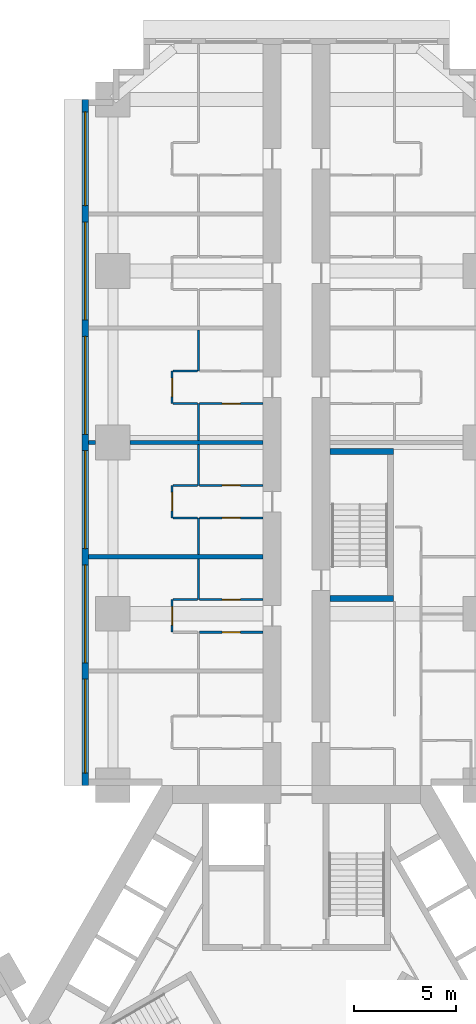
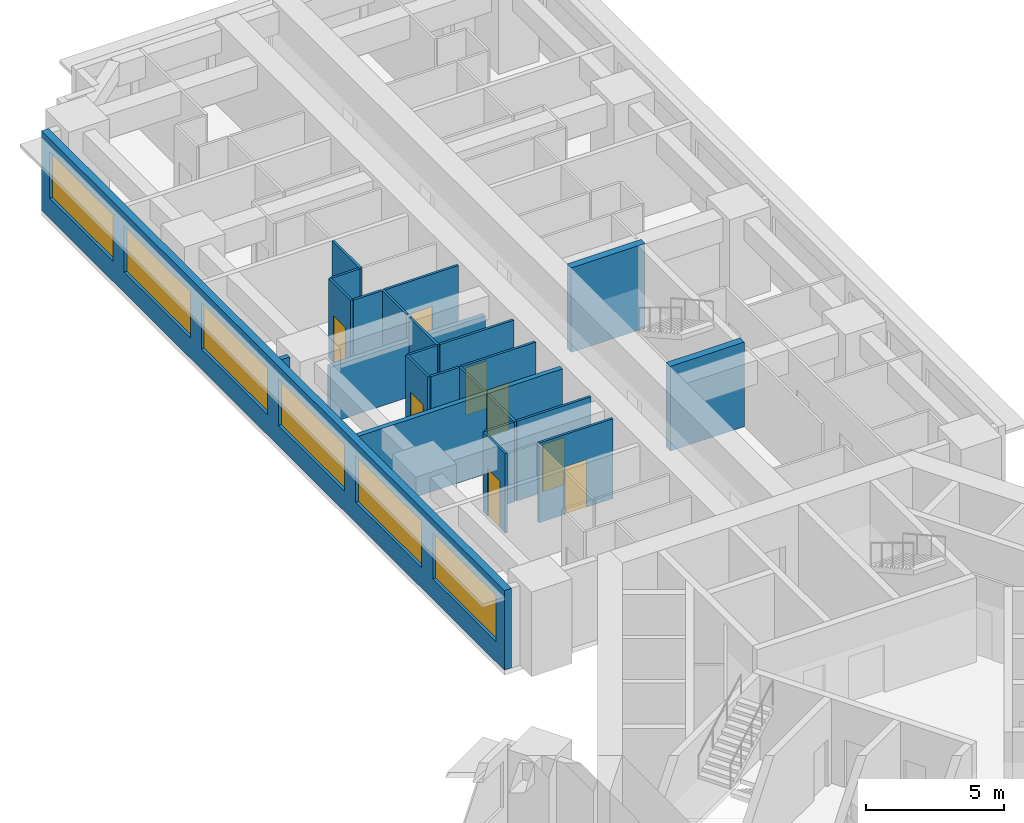
# One storey, part 9 of 17: 24 walls, 8 doors, 6 windows, 14 openings.
"""IFC4 building model written with IfcOpenShell, lengths in metres."""

from ifc_helpers import new_model, si_unit, direction, frame, frame_2d, origin, place, context, subcontext, project, spatial, rectangle, extrude, material, layer, layer_set, type_object, element, fill, save


model = new_model("IFC4")

# Units and contexts
model_context = context("Model", 3, precision=1e-05, world=origin(), true_north=direction((0.0, 1.0)))
body_context = subcontext(model_context, "Body", "Model", "MODEL_VIEW")
ifc_project = project(units=[si_unit("LENGTHUNIT", "METRE"), si_unit("AREAUNIT", "SQUARE_METRE"), si_unit("VOLUMEUNIT", "CUBIC_METRE"), si_unit("PLANEANGLEUNIT", "RADIAN"), si_unit("MASSUNIT", "GRAM", prefix="KILO")], contexts=[model_context])

# Site, building, storey
site_placement = place(None, origin())
site = spatial("IfcSite", under=ifc_project, at=site_placement, CompositionType="ELEMENT")
building_placement = place(site_placement, origin())
building = spatial("IfcBuilding", under=site, at=building_placement, Name="Impinga Residences", CompositionType="ELEMENT")
storey_placement = place(building_placement, frame((0.0, 0.0, 29.75)))
storey = spatial("IfcBuildingStorey", under=building, at=storey_placement, Name="L06", CompositionType="ELEMENT", Elevation=29.75)

# Wall, openings, windows
ifc_material_1 = material(Name="Terracotta rainscreen on blockwork", Category="masonry")
ifc_layer_1 = layer(ifc_material_1, 0.300048828125)
ifc_layer_set_1 = layer_set([ifc_layer_1], Name="EW1 external wall, terracotta rainscreen on blockwork 300")
wall_type_1 = type_object("IfcWallType", Name="EW1 external wall, terracotta rainscreen on blockwork 300", PredefinedType="SOLIDWALL", material=ifc_layer_set_1)
wall_1_placement = place(storey_placement, frame((-10.35009765625, 11.431640625, 0.0), z_axis=(0.0, 0.0, 1.0), x_axis=(0.0, 1.0, 0.0)))
wall_1 = element("IfcWall", 1, at=wall_1_placement, inside=storey, type_object=wall_type_1, Name="External wall EW1 L06", PredefinedType="SOLIDWALL", context=body_context, shape_type="SweptSolid", body=[
    extrude(rectangle(XDim=33.599853515625, YDim=0.300048828125, at=frame_2d((16.7998046875, 0.0))), origin(), (0.0, 0.0, 1.0), 3.530029296875),
])
opening_1_placement = place(wall_1_placement, frame((0.60009765625, 0.0, 0.89990234375)))
opening_1 = element("IfcOpeningElement", 2, at=opening_1_placement, cuts=wall_1, Name="Opening W3", PredefinedType="OPENING", context=body_context, shape_type="SweptSolid", body=[
    extrude(rectangle(XDim=4.60009765625, YDim=2.050048828125, at=frame_2d((2.300048828125, 1.02490234375))), frame((0.0, 0.159912109375, 0.0), z_axis=(0.0, -1.0, 0.0), x_axis=(1.0, 0.0, 0.0)), (0.0, 0.0, 1.0), 0.320068359375),
])
opening_2_placement = place(wall_1_placement, frame((6.0, 0.0, 0.89990234375)))
opening_2 = element("IfcOpeningElement", 3, at=opening_2_placement, cuts=wall_1, Name="Opening W8", PredefinedType="OPENING", context=body_context, shape_type="SweptSolid", body=[
    extrude(rectangle(XDim=4.800048828125, YDim=2.050048828125, at=frame_2d((2.39990234375, 1.02490234375))), frame((0.0, 0.159912109375, 0.0), z_axis=(0.0, -1.0, 0.0), x_axis=(1.0, 0.0, 0.0)), (0.0, 0.0, 1.0), 0.320068359375),
])
opening_3_placement = place(wall_1_placement, frame((11.60009765625, 0.0, 0.89990234375)))
opening_3 = element("IfcOpeningElement", 4, at=opening_3_placement, cuts=wall_1, Name="Opening W8", PredefinedType="OPENING", context=body_context, shape_type="SweptSolid", body=[
    extrude(rectangle(XDim=4.800048828125, YDim=2.050048828125, at=frame_2d((2.39990234375, 1.02490234375))), frame((0.0, 0.159912109375, 0.0), z_axis=(0.0, -1.0, 0.0), x_axis=(1.0, 0.0, 0.0)), (0.0, 0.0, 1.0), 0.320068359375),
])
opening_4_placement = place(wall_1_placement, frame((17.199951171875, 0.0, 0.89990234375)))
opening_4 = element("IfcOpeningElement", 5, at=opening_4_placement, cuts=wall_1, Name="Opening W8", PredefinedType="OPENING", context=body_context, shape_type="SweptSolid", body=[
    extrude(rectangle(XDim=4.800048828125, YDim=2.050048828125, at=frame_2d((2.39990234375, 1.02490234375))), frame((0.0, 0.159912109375, 0.0), z_axis=(0.0, -1.0, 0.0), x_axis=(1.0, 0.0, 0.0)), (0.0, 0.0, 1.0), 0.320068359375),
])
opening_5_placement = place(wall_1_placement, frame((22.800048828125, 0.0, 0.89990234375)))
opening_5 = element("IfcOpeningElement", 6, at=opening_5_placement, cuts=wall_1, Name="Opening W8", PredefinedType="OPENING", context=body_context, shape_type="SweptSolid", body=[
    extrude(rectangle(XDim=4.800048828125, YDim=2.050048828125, at=frame_2d((2.39990234375, 1.02490234375))), frame((0.0, 0.159912109375, 0.0), z_axis=(0.0, -1.0, 0.0), x_axis=(1.0, 0.0, 0.0)), (0.0, 0.0, 1.0), 0.320068359375),
])
opening_6_placement = place(wall_1_placement, frame((28.39990234375, 0.0, 0.89990234375)))
opening_6 = element("IfcOpeningElement", 7, at=opening_6_placement, cuts=wall_1, Name="Opening W3", PredefinedType="OPENING", context=body_context, shape_type="SweptSolid", body=[
    extrude(rectangle(XDim=4.60009765625, YDim=2.050048828125, at=frame_2d((2.300048828125, 1.02490234375))), frame((0.0, 0.159912109375, 0.0), z_axis=(0.0, -1.0, 0.0), x_axis=(1.0, 0.0, 0.0)), (0.0, 0.0, 1.0), 0.320068359375),
])
ifc_material_2 = material(Name="Aluminium window, clear double glazing", Category="aluminium")
window_type_1 = type_object("IfcWindowType", Name="W3 ribbon window 4600x2050", PartitioningType="SINGLE_PANEL", PredefinedType="WINDOW", material=ifc_material_2)
window_1_placement = place(opening_1_placement, origin())
window_1 = element("IfcWindow", 8, at=window_1_placement, inside=storey, type_object=window_type_1, Name="Window L06", OverallHeight=2.050048828125, OverallWidth=4.60009765625, PartitioningType="SINGLE_PANEL", PredefinedType="WINDOW", context=body_context, shape_type="SweptSolid", body=[
    extrude(rectangle(XDim=4.60009765625, YDim=2.050048828125, at=frame_2d((2.300048828125, 1.02490234375))), frame((0.0, 0.030029296875, 0.0), z_axis=(0.0, -1.0, 0.0), x_axis=(1.0, 0.0, 0.0)), (0.0, 0.0, 1.0), 0.06005859375),
])
fill(opening_1, window_1)
window_2_placement = place(opening_6_placement, origin())
window_2 = element("IfcWindow", 9, at=window_2_placement, inside=storey, type_object=window_type_1, Name="Window L06", OverallHeight=2.050048828125, OverallWidth=4.60009765625, PartitioningType="SINGLE_PANEL", PredefinedType="WINDOW", context=body_context, shape_type="SweptSolid", body=[
    extrude(rectangle(XDim=4.60009765625, YDim=2.050048828125, at=frame_2d((2.300048828125, 1.02490234375))), frame((0.0, 0.030029296875, 0.0), z_axis=(0.0, -1.0, 0.0), x_axis=(1.0, 0.0, 0.0)), (0.0, 0.0, 1.0), 0.06005859375),
])
fill(opening_6, window_2)
window_type_2 = type_object("IfcWindowType", Name="W8 ribbon window 4800x2050", PartitioningType="SINGLE_PANEL", PredefinedType="WINDOW", material=ifc_material_2)
window_3_placement = place(opening_2_placement, origin())
window_3 = element("IfcWindow", 10, at=window_3_placement, inside=storey, type_object=window_type_2, Name="Window L06", OverallHeight=2.050048828125, OverallWidth=4.800048828125, PartitioningType="SINGLE_PANEL", PredefinedType="WINDOW", context=body_context, shape_type="SweptSolid", body=[
    extrude(rectangle(XDim=4.800048828125, YDim=2.050048828125, at=frame_2d((2.39990234375, 1.02490234375))), frame((0.0, 0.030029296875, 0.0), z_axis=(0.0, -1.0, 0.0), x_axis=(1.0, 0.0, 0.0)), (0.0, 0.0, 1.0), 0.06005859375),
])
fill(opening_2, window_3)
window_4_placement = place(opening_3_placement, origin())
window_4 = element("IfcWindow", 11, at=window_4_placement, inside=storey, type_object=window_type_2, Name="Window L06", OverallHeight=2.050048828125, OverallWidth=4.800048828125, PartitioningType="SINGLE_PANEL", PredefinedType="WINDOW", context=body_context, shape_type="SweptSolid", body=[
    extrude(rectangle(XDim=4.800048828125, YDim=2.050048828125, at=frame_2d((2.39990234375, 1.02490234375))), frame((0.0, 0.030029296875, 0.0), z_axis=(0.0, -1.0, 0.0), x_axis=(1.0, 0.0, 0.0)), (0.0, 0.0, 1.0), 0.06005859375),
])
fill(opening_3, window_4)
window_5_placement = place(opening_4_placement, origin())
window_5 = element("IfcWindow", 12, at=window_5_placement, inside=storey, type_object=window_type_2, Name="Window L06", OverallHeight=2.050048828125, OverallWidth=4.800048828125, PartitioningType="SINGLE_PANEL", PredefinedType="WINDOW", context=body_context, shape_type="SweptSolid", body=[
    extrude(rectangle(XDim=4.800048828125, YDim=2.050048828125, at=frame_2d((2.39990234375, 1.02490234375))), frame((0.0, 0.030029296875, 0.0), z_axis=(0.0, -1.0, 0.0), x_axis=(1.0, 0.0, 0.0)), (0.0, 0.0, 1.0), 0.06005859375),
])
fill(opening_4, window_5)
window_6_placement = place(opening_5_placement, origin())
window_6 = element("IfcWindow", 13, at=window_6_placement, inside=storey, type_object=window_type_2, Name="Window L06", OverallHeight=2.050048828125, OverallWidth=4.800048828125, PartitioningType="SINGLE_PANEL", PredefinedType="WINDOW", context=body_context, shape_type="SweptSolid", body=[
    extrude(rectangle(XDim=4.800048828125, YDim=2.050048828125, at=frame_2d((2.39990234375, 1.02490234375))), frame((0.0, 0.030029296875, 0.0), z_axis=(0.0, -1.0, 0.0), x_axis=(1.0, 0.0, 0.0)), (0.0, 0.0, 1.0), 0.06005859375),
])
fill(opening_5, window_6)

# Wall
ifc_material_3 = material(Name="Gypsum board on steel studs", Category="steel")
ifc_layer_2 = layer(ifc_material_3, 0.10009765625)
ifc_layer_set_2 = layer_set([ifc_layer_2], Name="Gypsum board on steel studs")
wall_type_2 = type_object("IfcWallType", Name="IP1 partition 100", PredefinedType="PARTITIONING", material=ifc_layer_set_2)
wall_2_placement = place(storey_placement, frame((-4.800048828125, 20.531494140625, 0.0), z_axis=(0.0, 0.0, 1.0), x_axis=(0.0, 1.0, 0.0)))
element("IfcWall", 14, at=wall_2_placement, inside=storey, type_object=wall_type_2, Name="Partition L06-NA2:DIV1", PredefinedType="PARTITIONING", context=body_context, shape_type="SweptSolid", body=[
    extrude(rectangle(XDim=2.0, YDim=0.10009765625, at=frame_2d((1.0, 0.0))), origin(), (0.0, 0.0, 1.0), 3.530029296875),
])

# Wall, opening, door
wall_3_placement = place(storey_placement, frame((-6.10009765625, 18.931640625, 0.0), z_axis=(0.0, 0.0, 1.0), x_axis=(0.0, 1.0, 0.0)))
wall_3 = element("IfcWall", 15, at=wall_3_placement, inside=storey, type_object=wall_type_2, Name="Partition L06-NA2:STRIP", PredefinedType="PARTITIONING", context=body_context, shape_type="SweptSolid", body=[
    extrude(rectangle(XDim=1.599853515625, YDim=0.10009765625, at=frame_2d((0.7998046875, 0.0))), origin(), (0.0, 0.0, 1.0), 3.530029296875),
])
opening_7_placement = place(wall_3_placement, frame((0.35009765625, 0.0, 0.0)))
opening_7 = element("IfcOpeningElement", 16, at=opening_7_placement, cuts=wall_3, Name="Opening D2", PredefinedType="OPENING", context=body_context, shape_type="SweptSolid", body=[
    extrude(rectangle(XDim=0.89990234375, YDim=2.10009765625, at=frame_2d((0.449951171875, 1.050048828125))), frame((0.0, 0.06005859375, 0.0), z_axis=(0.0, -1.0, 0.0), x_axis=(1.0, 0.0, 0.0)), (0.0, 0.0, 1.0), 0.1201171875),
])
ifc_material_4 = material(Name="Timber door set", Category="wood")
door_type = type_object("IfcDoorType", Name="D2 internal door 900x2100", OperationType="SINGLE_SWING_LEFT", PredefinedType="DOOR", material=ifc_material_4)
door_1_placement = place(opening_7_placement, origin())
door_1 = element("IfcDoor", 17, at=door_1_placement, inside=storey, type_object=door_type, Name="Apartment L06-NA2 room door", OperationType="SINGLE_SWING_LEFT", OverallHeight=2.10009765625, OverallWidth=0.89990234375, PredefinedType="DOOR", context=body_context, shape_type="SweptSolid", body=[
    extrude(rectangle(XDim=0.89990234375, YDim=2.10009765625, at=frame_2d((0.449951171875, 1.050048828125))), frame((0.0, 0.02490234375, 0.0), z_axis=(0.0, -1.0, 0.0), x_axis=(1.0, 0.0, 0.0)), (0.0, 0.0, 1.0), 0.050048828125),
])
fill(opening_7, door_1)

# Wall
wall_4_placement = place(storey_placement, frame((-4.85009765625, 20.531494140625, 0.0), z_axis=(0.0, 0.0, 1.0), x_axis=(-1.0, 0.0, 0.0)))
element("IfcWall", 18, at=wall_4_placement, inside=storey, type_object=wall_type_2, Name="Partition L06-NA2:SE1", PredefinedType="PARTITIONING", context=body_context, shape_type="SweptSolid", body=[
    extrude(rectangle(XDim=1.199951171875, YDim=0.10009765625, at=frame_2d((0.60009765625, 0.0))), origin(), (0.0, 0.0, 1.0), 3.530029296875),
])

# Wall, opening, door
wall_5_placement = place(storey_placement, frame((-1.64990234375, 18.931640625, 0.0), z_axis=(0.0, 0.0, 1.0), x_axis=(-1.0, 0.0, 0.0)))
wall_5 = element("IfcWall", 19, at=wall_5_placement, inside=storey, type_object=wall_type_2, Name="Partition L06-NA2:IB1", PredefinedType="PARTITIONING", context=body_context, shape_type="SweptSolid", body=[
    extrude(rectangle(XDim=3.10009765625, YDim=0.10009765625, at=frame_2d((1.550048828125, 0.0))), origin(), (0.0, 0.0, 1.0), 3.530029296875),
])
opening_8_placement = place(wall_5_placement, frame((1.10009765625, 0.0, 0.0)))
opening_8 = element("IfcOpeningElement", 20, at=opening_8_placement, cuts=wall_5, Name="Opening D2", PredefinedType="OPENING", context=body_context, shape_type="SweptSolid", body=[
    extrude(rectangle(XDim=0.89990234375, YDim=2.10009765625, at=frame_2d((0.449951171875, 1.050048828125))), frame((0.0, 0.06005859375, 0.0), z_axis=(0.0, -1.0, 0.0), x_axis=(1.0, 0.0, 0.0)), (0.0, 0.0, 1.0), 0.1201171875),
])
door_2_placement = place(opening_8_placement, origin())
door_2 = element("IfcDoor", 21, at=door_2_placement, inside=storey, type_object=door_type, Name="Apartment L06-NA2 bathroom door", OperationType="SINGLE_SWING_LEFT", OverallHeight=2.10009765625, OverallWidth=0.89990234375, PredefinedType="DOOR", context=body_context, shape_type="SweptSolid", body=[
    extrude(rectangle(XDim=0.89990234375, YDim=2.10009765625, at=frame_2d((0.449951171875, 1.050048828125))), frame((0.0, 0.02490234375, 0.0), z_axis=(0.0, -1.0, 0.0), x_axis=(1.0, 0.0, 0.0)), (0.0, 0.0, 1.0), 0.050048828125),
])
fill(opening_8, door_2)

wall_6_placement = place(storey_placement, frame((-1.64990234375, 20.531494140625, 0.0), z_axis=(0.0, 0.0, 1.0), x_axis=(-1.0, 0.0, 0.0)))
wall_6 = element("IfcWall", 22, at=wall_6_placement, inside=storey, type_object=wall_type_2, Name="Partition L06-NA2:IB2", PredefinedType="PARTITIONING", context=body_context, shape_type="SweptSolid", body=[
    extrude(rectangle(XDim=3.10009765625, YDim=0.10009765625, at=frame_2d((1.550048828125, 0.0))), origin(), (0.0, 0.0, 1.0), 3.530029296875),
])
opening_9_placement = place(wall_6_placement, frame((1.10009765625, 0.0, 0.0)))
opening_9 = element("IfcOpeningElement", 23, at=opening_9_placement, cuts=wall_6, Name="Opening D2", PredefinedType="OPENING", context=body_context, shape_type="SweptSolid", body=[
    extrude(rectangle(XDim=0.89990234375, YDim=2.10009765625, at=frame_2d((0.449951171875, 1.050048828125))), frame((0.0, 0.06005859375, 0.0), z_axis=(0.0, -1.0, 0.0), x_axis=(1.0, 0.0, 0.0)), (0.0, 0.0, 1.0), 0.1201171875),
])
door_3_placement = place(opening_9_placement, origin())
door_3 = element("IfcDoor", 24, at=door_3_placement, inside=storey, type_object=door_type, Name="Apartment L06-NA2 WC door", OperationType="SINGLE_SWING_LEFT", OverallHeight=2.10009765625, OverallWidth=0.89990234375, PredefinedType="DOOR", context=body_context, shape_type="SweptSolid", body=[
    extrude(rectangle(XDim=0.89990234375, YDim=2.10009765625, at=frame_2d((0.449951171875, 1.050048828125))), frame((0.0, 0.02490234375, 0.0), z_axis=(0.0, -1.0, 0.0), x_axis=(1.0, 0.0, 0.0)), (0.0, 0.0, 1.0), 0.050048828125),
])
fill(opening_9, door_3)

# Walls
wall_7_placement = place(storey_placement, frame((-4.800048828125, 22.7314453125, 0.0), z_axis=(0.0, 0.0, 1.0), x_axis=(0.0, 1.0, 0.0)))
element("IfcWall", 25, at=wall_7_placement, inside=storey, type_object=wall_type_2, Name="Partition L06-NA3:DIV0", PredefinedType="PARTITIONING", context=body_context, shape_type="SweptSolid", body=[
    extrude(rectangle(XDim=1.800048828125, YDim=0.10009765625, at=frame_2d((0.89990234375, 0.0))), origin(), (0.0, 0.0, 1.0), 3.530029296875),
])
wall_8_placement = place(storey_placement, frame((-4.800048828125, 26.131591796875, 0.0), z_axis=(0.0, 0.0, 1.0), x_axis=(0.0, 1.0, 0.0)))
element("IfcWall", 26, at=wall_8_placement, inside=storey, type_object=wall_type_2, Name="Partition L06-NA3:DIV1", PredefinedType="PARTITIONING", context=body_context, shape_type="SweptSolid", body=[
    extrude(rectangle(XDim=2.0, YDim=0.10009765625, at=frame_2d((1.0, 0.0))), origin(), (0.0, 0.0, 1.0), 3.530029296875),
])

# Wall, opening, door
wall_9_placement = place(storey_placement, frame((-6.10009765625, 24.531494140625, 0.0), z_axis=(0.0, 0.0, 1.0), x_axis=(0.0, 1.0, 0.0)))
wall_9 = element("IfcWall", 27, at=wall_9_placement, inside=storey, type_object=wall_type_2, Name="Partition L06-NA3:STRIP", PredefinedType="PARTITIONING", context=body_context, shape_type="SweptSolid", body=[
    extrude(rectangle(XDim=1.60009765625, YDim=0.10009765625, at=frame_2d((0.800048828125, 0.0))), origin(), (0.0, 0.0, 1.0), 3.530029296875),
])
opening_10_placement = place(wall_9_placement, frame((0.35009765625, 0.0, 0.0)))
opening_10 = element("IfcOpeningElement", 28, at=opening_10_placement, cuts=wall_9, Name="Opening D2", PredefinedType="OPENING", context=body_context, shape_type="SweptSolid", body=[
    extrude(rectangle(XDim=0.89990234375, YDim=2.10009765625, at=frame_2d((0.449951171875, 1.050048828125))), frame((0.0, 0.06005859375, 0.0), z_axis=(0.0, -1.0, 0.0), x_axis=(1.0, 0.0, 0.0)), (0.0, 0.0, 1.0), 0.1201171875),
])
door_4_placement = place(opening_10_placement, origin())
door_4 = element("IfcDoor", 29, at=door_4_placement, inside=storey, type_object=door_type, Name="Apartment L06-NA3 room door", OperationType="SINGLE_SWING_LEFT", OverallHeight=2.10009765625, OverallWidth=0.89990234375, PredefinedType="DOOR", context=body_context, shape_type="SweptSolid", body=[
    extrude(rectangle(XDim=0.89990234375, YDim=2.10009765625, at=frame_2d((0.449951171875, 1.050048828125))), frame((0.0, 0.02490234375, 0.0), z_axis=(0.0, -1.0, 0.0), x_axis=(1.0, 0.0, 0.0)), (0.0, 0.0, 1.0), 0.050048828125),
])
fill(opening_10, door_4)

# Walls
for number, where, z_axis, x_axis, name in (
    (30, (-4.85009765625, 24.531494140625, 0.0), (0.0, 0.0, 1.0), (-1.0, 0.0, 0.0), "Partition L06-NA3:SE0"),
    (31, (-4.85009765625, 26.131591796875, 0.0), (0.0, 0.0, 1.0), (-1.0, 0.0, 0.0), "Partition L06-NA3:SE1"),
):
    element("IfcWall", number, at=place(storey_placement, frame(where, z_axis=z_axis, x_axis=x_axis)), inside=storey, type_object=wall_type_2, Name=name, PredefinedType="PARTITIONING", context=body_context, shape_type="SweptSolid", body=[
        extrude(rectangle(XDim=1.199951171875, YDim=0.10009765625, at=frame_2d((0.60009765625, 0.0))), origin(), (0.0, 0.0, 1.0), 3.530029296875),
    ])

# Wall, opening, door
wall_10_placement = place(storey_placement, frame((-1.64990234375, 24.531494140625, 0.0), z_axis=(0.0, 0.0, 1.0), x_axis=(-1.0, 0.0, 0.0)))
wall_10 = element("IfcWall", 32, at=wall_10_placement, inside=storey, type_object=wall_type_2, Name="Partition L06-NA3:IB1", PredefinedType="PARTITIONING", context=body_context, shape_type="SweptSolid", body=[
    extrude(rectangle(XDim=3.10009765625, YDim=0.10009765625, at=frame_2d((1.550048828125, 0.0))), origin(), (0.0, 0.0, 1.0), 3.530029296875),
])
opening_11_placement = place(wall_10_placement, frame((1.10009765625, 0.0, 0.0)))
opening_11 = element("IfcOpeningElement", 33, at=opening_11_placement, cuts=wall_10, Name="Opening D2", PredefinedType="OPENING", context=body_context, shape_type="SweptSolid", body=[
    extrude(rectangle(XDim=0.89990234375, YDim=2.10009765625, at=frame_2d((0.449951171875, 1.050048828125))), frame((0.0, 0.06005859375, 0.0), z_axis=(0.0, -1.0, 0.0), x_axis=(1.0, 0.0, 0.0)), (0.0, 0.0, 1.0), 0.1201171875),
])
door_5_placement = place(opening_11_placement, origin())
door_5 = element("IfcDoor", 34, at=door_5_placement, inside=storey, type_object=door_type, Name="Apartment L06-NA3 bathroom door", OperationType="SINGLE_SWING_LEFT", OverallHeight=2.10009765625, OverallWidth=0.89990234375, PredefinedType="DOOR", context=body_context, shape_type="SweptSolid", body=[
    extrude(rectangle(XDim=0.89990234375, YDim=2.10009765625, at=frame_2d((0.449951171875, 1.050048828125))), frame((0.0, 0.02490234375, 0.0), z_axis=(0.0, -1.0, 0.0), x_axis=(1.0, 0.0, 0.0)), (0.0, 0.0, 1.0), 0.050048828125),
])
fill(opening_11, door_5)

wall_11_placement = place(storey_placement, frame((-1.64990234375, 26.131591796875, 0.0), z_axis=(0.0, 0.0, 1.0), x_axis=(-1.0, 0.0, 0.0)))
wall_11 = element("IfcWall", 35, at=wall_11_placement, inside=storey, type_object=wall_type_2, Name="Partition L06-NA3:IB2", PredefinedType="PARTITIONING", context=body_context, shape_type="SweptSolid", body=[
    extrude(rectangle(XDim=3.10009765625, YDim=0.10009765625, at=frame_2d((1.550048828125, 0.0))), origin(), (0.0, 0.0, 1.0), 3.530029296875),
])
opening_12_placement = place(wall_11_placement, frame((1.10009765625, 0.0, 0.0)))
opening_12 = element("IfcOpeningElement", 36, at=opening_12_placement, cuts=wall_11, Name="Opening D2", PredefinedType="OPENING", context=body_context, shape_type="SweptSolid", body=[
    extrude(rectangle(XDim=0.89990234375, YDim=2.10009765625, at=frame_2d((0.449951171875, 1.050048828125))), frame((0.0, 0.06005859375, 0.0), z_axis=(0.0, -1.0, 0.0), x_axis=(1.0, 0.0, 0.0)), (0.0, 0.0, 1.0), 0.1201171875),
])
door_6_placement = place(opening_12_placement, origin())
door_6 = element("IfcDoor", 37, at=door_6_placement, inside=storey, type_object=door_type, Name="Apartment L06-NA3 WC door", OperationType="SINGLE_SWING_LEFT", OverallHeight=2.10009765625, OverallWidth=0.89990234375, PredefinedType="DOOR", context=body_context, shape_type="SweptSolid", body=[
    extrude(rectangle(XDim=0.89990234375, YDim=2.10009765625, at=frame_2d((0.449951171875, 1.050048828125))), frame((0.0, 0.02490234375, 0.0), z_axis=(0.0, -1.0, 0.0), x_axis=(1.0, 0.0, 0.0)), (0.0, 0.0, 1.0), 0.050048828125),
])
fill(opening_12, door_6)

# Walls
wall_12_placement = place(storey_placement, frame((-4.800048828125, 28.33154296875, 0.0), z_axis=(0.0, 0.0, 1.0), x_axis=(0.0, 1.0, 0.0)))
element("IfcWall", 38, at=wall_12_placement, inside=storey, type_object=wall_type_2, Name="Partition L06-NA4:DIV0", PredefinedType="PARTITIONING", context=body_context, shape_type="SweptSolid", body=[
    extrude(rectangle(XDim=1.800048828125, YDim=0.10009765625, at=frame_2d((0.89990234375, 0.0))), origin(), (0.0, 0.0, 1.0), 3.530029296875),
])
wall_13_placement = place(storey_placement, frame((-4.800048828125, 31.7314453125, 0.0), z_axis=(0.0, 0.0, 1.0), x_axis=(0.0, 1.0, 0.0)))
element("IfcWall", 39, at=wall_13_placement, inside=storey, type_object=wall_type_2, Name="Partition L06-NA4:DIV1", PredefinedType="PARTITIONING", context=body_context, shape_type="SweptSolid", body=[
    extrude(rectangle(XDim=2.0, YDim=0.10009765625, at=frame_2d((1.0, 0.0))), origin(), (0.0, 0.0, 1.0), 3.530029296875),
])

# Wall, opening, door
wall_14_placement = place(storey_placement, frame((-6.10009765625, 30.131591796875, 0.0), z_axis=(0.0, 0.0, 1.0), x_axis=(0.0, 1.0, 0.0)))
wall_14 = element("IfcWall", 40, at=wall_14_placement, inside=storey, type_object=wall_type_2, Name="Partition L06-NA4:STRIP", PredefinedType="PARTITIONING", context=body_context, shape_type="SweptSolid", body=[
    extrude(rectangle(XDim=1.599853515625, YDim=0.10009765625, at=frame_2d((0.7998046875, 0.0))), origin(), (0.0, 0.0, 1.0), 3.530029296875),
])
opening_13_placement = place(wall_14_placement, frame((0.35009765625, 0.0, 0.0)))
opening_13 = element("IfcOpeningElement", 41, at=opening_13_placement, cuts=wall_14, Name="Opening D2", PredefinedType="OPENING", context=body_context, shape_type="SweptSolid", body=[
    extrude(rectangle(XDim=0.89990234375, YDim=2.10009765625, at=frame_2d((0.449951171875, 1.050048828125))), frame((0.0, 0.06005859375, 0.0), z_axis=(0.0, -1.0, 0.0), x_axis=(1.0, 0.0, 0.0)), (0.0, 0.0, 1.0), 0.1201171875),
])
door_7_placement = place(opening_13_placement, origin())
door_7 = element("IfcDoor", 42, at=door_7_placement, inside=storey, type_object=door_type, Name="Apartment L06-NA4 room door", OperationType="SINGLE_SWING_LEFT", OverallHeight=2.10009765625, OverallWidth=0.89990234375, PredefinedType="DOOR", context=body_context, shape_type="SweptSolid", body=[
    extrude(rectangle(XDim=0.89990234375, YDim=2.10009765625, at=frame_2d((0.449951171875, 1.050048828125))), frame((0.0, 0.02490234375, 0.0), z_axis=(0.0, -1.0, 0.0), x_axis=(1.0, 0.0, 0.0)), (0.0, 0.0, 1.0), 0.050048828125),
])
fill(opening_13, door_7)

# Walls
for number, where, z_axis, x_axis, name in (
    (43, (-4.85009765625, 30.131591796875, 0.0), (0.0, 0.0, 1.0), (-1.0, 0.0, 0.0), "Partition L06-NA4:SE0"),
    (44, (-4.85009765625, 31.7314453125, 0.0), (0.0, 0.0, 1.0), (-1.0, 0.0, 0.0), "Partition L06-NA4:SE1"),
):
    element("IfcWall", number, at=place(storey_placement, frame(where, z_axis=z_axis, x_axis=x_axis)), inside=storey, type_object=wall_type_2, Name=name, PredefinedType="PARTITIONING", context=body_context, shape_type="SweptSolid", body=[
        extrude(rectangle(XDim=1.199951171875, YDim=0.10009765625, at=frame_2d((0.60009765625, 0.0))), origin(), (0.0, 0.0, 1.0), 3.530029296875),
    ])

# Wall, opening, door
wall_15_placement = place(storey_placement, frame((-1.64990234375, 30.131591796875, 0.0), z_axis=(0.0, 0.0, 1.0), x_axis=(-1.0, 0.0, 0.0)))
wall_15 = element("IfcWall", 45, at=wall_15_placement, inside=storey, type_object=wall_type_2, Name="Partition L06-NA4:IB1", PredefinedType="PARTITIONING", context=body_context, shape_type="SweptSolid", body=[
    extrude(rectangle(XDim=3.10009765625, YDim=0.10009765625, at=frame_2d((1.550048828125, 0.0))), origin(), (0.0, 0.0, 1.0), 3.530029296875),
])
opening_14_placement = place(wall_15_placement, frame((1.10009765625, 0.0, 0.0)))
opening_14 = element("IfcOpeningElement", 46, at=opening_14_placement, cuts=wall_15, Name="Opening D2", PredefinedType="OPENING", context=body_context, shape_type="SweptSolid", body=[
    extrude(rectangle(XDim=0.89990234375, YDim=2.10009765625, at=frame_2d((0.449951171875, 1.050048828125))), frame((0.0, 0.06005859375, 0.0), z_axis=(0.0, -1.0, 0.0), x_axis=(1.0, 0.0, 0.0)), (0.0, 0.0, 1.0), 0.1201171875),
])
door_8_placement = place(opening_14_placement, origin())
door_8 = element("IfcDoor", 47, at=door_8_placement, inside=storey, type_object=door_type, Name="Apartment L06-NA4 bathroom door", OperationType="SINGLE_SWING_LEFT", OverallHeight=2.10009765625, OverallWidth=0.89990234375, PredefinedType="DOOR", context=body_context, shape_type="SweptSolid", body=[
    extrude(rectangle(XDim=0.89990234375, YDim=2.10009765625, at=frame_2d((0.449951171875, 1.050048828125))), frame((0.0, 0.02490234375, 0.0), z_axis=(0.0, -1.0, 0.0), x_axis=(1.0, 0.0, 0.0)), (0.0, 0.0, 1.0), 0.050048828125),
])
fill(opening_14, door_8)

# Walls
ifc_material_5 = material(Name="Concrete blockwork", Category="masonry")
ifc_layer_3 = layer(ifc_material_5, 0.199951171875)
ifc_layer_set_3 = layer_set([ifc_layer_3], Name="PW1 party wall between apartments 200")
wall_type_3 = type_object("IfcWallType", Name="PW1 party wall between apartments 200", PredefinedType="SOLIDWALL", material=ifc_layer_set_3)
wall_16_placement = place(storey_placement, frame((-1.64990234375, 22.631591796875, 0.0), z_axis=(0.0, 0.0, 1.0), x_axis=(-1.0, 0.0, 0.0)))
element("IfcWall", 48, at=wall_16_placement, inside=storey, type_object=wall_type_3, Name="Party wall between apartments L06-NA2:PARTY", PredefinedType="SOLIDWALL", context=body_context, shape_type="SweptSolid", body=[
    extrude(rectangle(XDim=8.550048828125, YDim=0.199951171875, at=frame_2d((4.27490234375, 0.0))), origin(), (0.0, 0.0, 1.0), 3.530029296875),
])
wall_17_placement = place(storey_placement, frame((-1.64990234375, 28.2314453125, 0.0), z_axis=(0.0, 0.0, 1.0), x_axis=(-1.0, 0.0, 0.0)))
element("IfcWall", 49, at=wall_17_placement, inside=storey, type_object=wall_type_3, Name="Party wall between apartments L06-NA3:PARTY", PredefinedType="SOLIDWALL", context=body_context, shape_type="SweptSolid", body=[
    extrude(rectangle(XDim=6.5, YDim=0.199951171875, at=frame_2d((3.25, 0.0))), origin(), (0.0, 0.0, 1.0), 2.47998046875),
])
wall_18_placement = place(storey_placement, frame((-9.85009765625, 28.2314453125, 0.0), z_axis=(0.0, 0.0, 1.0), x_axis=(-1.0, 0.0, 0.0)))
element("IfcWall", 50, at=wall_18_placement, inside=storey, type_object=wall_type_3, Name="Party wall between apartments L06-NA3:PARTYb", PredefinedType="SOLIDWALL", context=body_context, shape_type="SweptSolid", body=[
    extrude(rectangle(XDim=0.349853515625, YDim=0.199951171875, at=frame_2d((0.1748046875, 0.0))), origin(), (0.0, 0.0, 1.0), 3.530029296875),
])
ifc_material_6 = material(Name="Concrete C60/75", Category="concrete")
ifc_layer_4 = layer(ifc_material_6, 0.300048828125)
ifc_layer_set_4 = layer_set([ifc_layer_4], Name="Concrete C60/75")
wall_type_4 = type_object("IfcWallType", Name="SE1 wing stair enclosure wall 300", PredefinedType="SOLIDWALL", material=ifc_layer_set_4)
for number, where, z_axis, x_axis, name in (
    (51, (1.64990234375, 20.58154296875, 0.0), (0.0, 0.0, 1.0), (1.0, 0.0, 0.0), "Stair enclosure wall SE1 N END0 L06"),
    (52, (1.64990234375, 27.781494140625, 0.0), (0.0, 0.0, 1.0), (1.0, 0.0, 0.0), "Stair enclosure wall SE1 N END1 L06"),
):
    element("IfcWall", number, at=place(storey_placement, frame(where, z_axis=z_axis, x_axis=x_axis)), inside=storey, type_object=wall_type_4, Name=name, PredefinedType="SOLIDWALL", context=body_context, shape_type="SweptSolid", body=[
        extrude(rectangle(XDim=3.10009765625, YDim=0.300048828125, at=frame_2d((1.550048828125, 0.0))), origin(), (0.0, 0.0, 1.0), 3.75),
    ])

save(model, "model.ifc")
